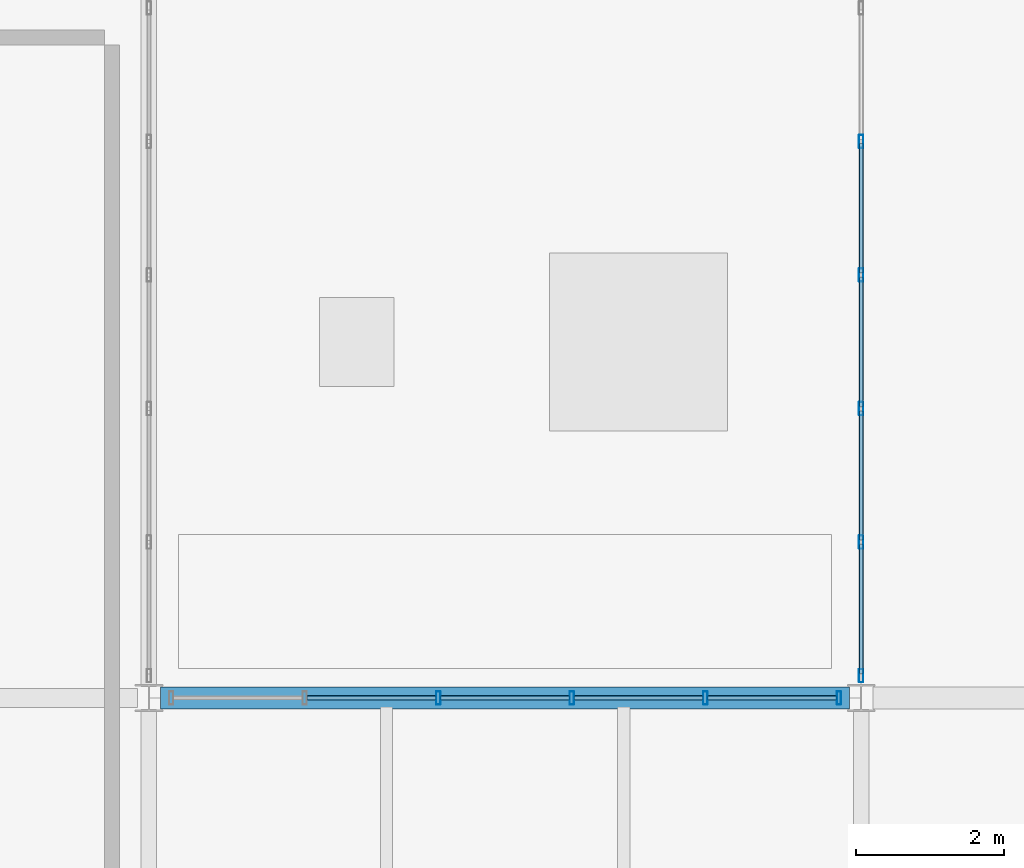
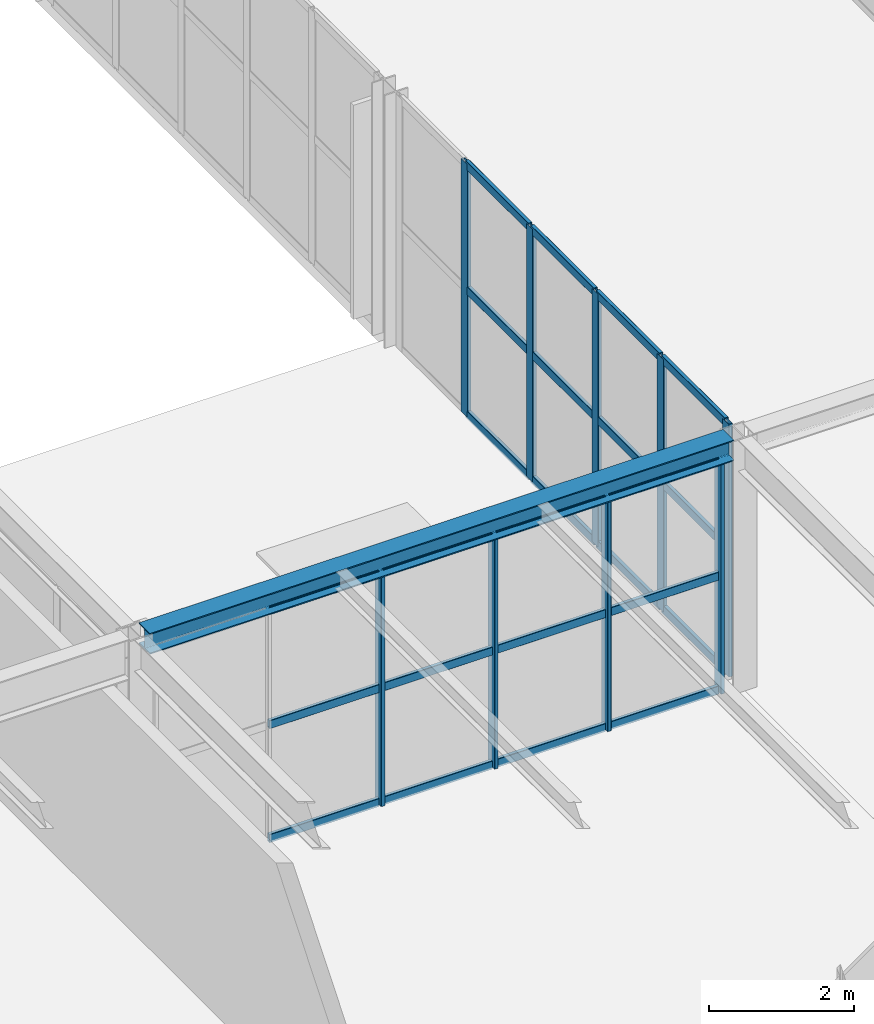
# One storey, part 55 of 170: 33 members, 1 beam, 2 elements without a shape of their own.
"""IFC4 building model written with IfcOpenShell, lengths in metres."""

from ifc_helpers import new_model, si_unit, direction, frame, origin, origin_2d, place, context, subcontext, project, spatial, hollow_rectangle, i_section, extrude, material, material_profile, profile_set, type_object, element, aggregate, save


model = new_model("IFC4")

# Units and contexts
model_context = context("Model", 3, precision=1e-05, world=origin(), true_north=direction((0.0, 1.0)))
body_context = subcontext(model_context, "Body", "Model", "MODEL_VIEW")
ifc_project = project(units=[si_unit("LENGTHUNIT", "METRE"), si_unit("AREAUNIT", "SQUARE_METRE"), si_unit("VOLUMEUNIT", "CUBIC_METRE"), si_unit("PLANEANGLEUNIT", "RADIAN"), si_unit("MASSUNIT", "GRAM", prefix="KILO")], contexts=[model_context])

# Site, building, storey
site_placement = place(None, origin())
site = spatial("IfcSite", under=ifc_project, at=site_placement, CompositionType="ELEMENT")
building_placement = place(site_placement, origin())
building = spatial("IfcBuilding", under=site, at=building_placement, Name="Coralgate Yard Interchange", CompositionType="ELEMENT")
storey_placement = place(building_placement, frame((0.0, 0.0, 6.0)))
storey = spatial("IfcBuildingStorey", under=building, at=storey_placement, Name="L01", CompositionType="ELEMENT", Elevation=6.0)

# Beam
ifc_material_1 = material(Name="Structural steel S355J2", Category="steel")
ifc_material_profile_1 = material_profile(ifc_material_1, i_section(OverallWidth=0.300048828125, OverallDepth=0.35009765625, WebThickness=0.010009765625, FlangeThickness=0.017578125, FilletRadius=0.027099609375, at=origin_2d()), Name="HEA 360")
ifc_profile_set_1 = profile_set([ifc_material_profile_1], Name="Structural steel S355J2")
beam_type = type_object("IfcBeamType", Name="BM-SP-1", PredefinedType="SPANDREL", material=ifc_profile_set_1)
beam_placement = place(storey_placement, frame((28.956298828125, 48.0, 4.074951171875), z_axis=(1.0, 0.0, 0.0), x_axis=(0.0, 1.0, 0.0)))
element("IfcBeam", 1, at=beam_placement, inside=storey, type_object=beam_type, Name="L01 primary grid beam Y5 X3-4", PredefinedType="SPANDREL", context=body_context, shape_type="SweptSolid", body=[
    extrude(i_section(OverallWidth=0.300048828125, OverallDepth=0.35009765625, WebThickness=0.010009765625, FlangeThickness=0.017578125, FilletRadius=0.027099609375, at=origin_2d()), origin(), (0.0, 0.0, 1.0), 9.287353515625),
])

# Curtain wall, members
ifc_material_2 = material(Name="Anodised coastal aluminium and solar-control low-E glass", Category="aluminium")
curtain_wall_type = type_object("IfcCurtainWallType", Name="CW-CW-L01-A", PredefinedType="NOTDEFINED", material=ifc_material_2)
curtain_wall_1_placement = place(storey_placement, origin())
curtain_wall_1 = element("IfcCurtainWall", 2, at=curtain_wall_1_placement, inside=storey, type_object=curtain_wall_type, Name="L01 unitised curtain wall CW-L01-N-03-04", PredefinedType="NOTDEFINED")
ifc_material_3 = material(Name="Anodised coastal aluminium 6063-T6", Category="aluminium")
ifc_material_profile_2 = material_profile(ifc_material_3, hollow_rectangle(XDim=0.06005859375, YDim=0.179931640625, WallThickness=0.00390625, InnerFilletRadius=0.00390625, OuterFilletRadius=0.008056640625, at=origin_2d()), Name="ALU 60x180x4")
ifc_profile_set_2 = profile_set([ifc_material_profile_2], Name="Anodised coastal aluminium 6063-T6")
member_type_1 = type_object("IfcMemberType", Name="MB-MUL-180", PredefinedType="MULLION", material=ifc_profile_set_2)
member_1_placement = place(storey_placement, frame((32.699951171875, 48.0, 0.0), z_axis=(0.0, 0.0, 1.0), x_axis=(1.0, 0.0, 0.0)))
member_1 = element("IfcMember", 3, at=member_1_placement, type_object=member_type_1, Name="CW-L01-N-03-04 vertical mullion 3", PredefinedType="MULLION", context=body_context, shape_type="SweptSolid", body=[
    extrude(hollow_rectangle(XDim=0.06005859375, YDim=0.179931640625, WallThickness=0.00390625, InnerFilletRadius=0.00390625, OuterFilletRadius=0.008056640625, at=origin_2d()), origin(), (0.0, 0.0, 1.0), 3.89990234375),
])
member_2_placement = place(storey_placement, frame((34.5, 48.0, 0.0), z_axis=(0.0, 0.0, 1.0), x_axis=(1.0, 0.0, 0.0)))
member_2 = element("IfcMember", 4, at=member_2_placement, type_object=member_type_1, Name="CW-L01-N-03-04 vertical mullion 4", PredefinedType="MULLION", context=body_context, shape_type="SweptSolid", body=[
    extrude(hollow_rectangle(XDim=0.06005859375, YDim=0.179931640625, WallThickness=0.00390625, InnerFilletRadius=0.00390625, OuterFilletRadius=0.008056640625, at=origin_2d()), origin(), (0.0, 0.0, 1.0), 3.89990234375),
])
member_3_placement = place(storey_placement, frame((36.300048828125, 48.0, 0.0), z_axis=(0.0, 0.0, 1.0), x_axis=(1.0, 0.0, 0.0)))
member_3 = element("IfcMember", 5, at=member_3_placement, type_object=member_type_1, Name="CW-L01-N-03-04 vertical mullion 5", PredefinedType="MULLION", context=body_context, shape_type="SweptSolid", body=[
    extrude(hollow_rectangle(XDim=0.06005859375, YDim=0.179931640625, WallThickness=0.00390625, InnerFilletRadius=0.00390625, OuterFilletRadius=0.008056640625, at=origin_2d()), origin(), (0.0, 0.0, 1.0), 3.89990234375),
])
member_4_placement = place(storey_placement, frame((38.10009765625, 48.0, 0.0), z_axis=(0.0, 0.0, 1.0), x_axis=(1.0, 0.0, 0.0)))
member_4 = element("IfcMember", 6, at=member_4_placement, type_object=member_type_1, Name="CW-L01-N-03-04 vertical mullion 6", PredefinedType="MULLION", context=body_context, shape_type="SweptSolid", body=[
    extrude(hollow_rectangle(XDim=0.06005859375, YDim=0.179931640625, WallThickness=0.00390625, InnerFilletRadius=0.00390625, OuterFilletRadius=0.008056640625, at=origin_2d()), origin(), (0.0, 0.0, 1.0), 3.89990234375),
])

curtain_wall_2_placement = place(storey_placement, origin())
curtain_wall_2 = element("IfcCurtainWall", 7, at=curtain_wall_2_placement, inside=storey, type_object=curtain_wall_type, Name="L01 unitised curtain wall CW-L01-W-04-05", PredefinedType="NOTDEFINED")
member_5_placement = place(storey_placement, frame((38.39990234375, 48.300048828125, 0.0), z_axis=(0.0, 0.0, 1.0), x_axis=(1.0, 0.0, 0.0)))
member_5 = element("IfcMember", 8, at=member_5_placement, type_object=member_type_1, Name="CW-L01-W-04-05 vertical mullion 1", PredefinedType="MULLION", context=body_context, shape_type="SweptSolid", body=[
    extrude(hollow_rectangle(XDim=0.06005859375, YDim=0.179931640625, WallThickness=0.00390625, InnerFilletRadius=0.00390625, OuterFilletRadius=0.008056640625, at=origin_2d()), origin(), (0.0, 0.0, 1.0), 4.25),
])
member_6_placement = place(storey_placement, frame((38.39990234375, 50.10009765625, 0.0), z_axis=(0.0, 0.0, 1.0), x_axis=(1.0, 0.0, 0.0)))
member_6 = element("IfcMember", 9, at=member_6_placement, type_object=member_type_1, Name="CW-L01-W-04-05 vertical mullion 2", PredefinedType="MULLION", context=body_context, shape_type="SweptSolid", body=[
    extrude(hollow_rectangle(XDim=0.06005859375, YDim=0.179931640625, WallThickness=0.00390625, InnerFilletRadius=0.00390625, OuterFilletRadius=0.008056640625, at=origin_2d()), origin(), (0.0, 0.0, 1.0), 4.25),
])
member_7_placement = place(storey_placement, frame((38.39990234375, 51.89990234375, 0.0), z_axis=(0.0, 0.0, 1.0), x_axis=(1.0, 0.0, 0.0)))
member_7 = element("IfcMember", 10, at=member_7_placement, type_object=member_type_1, Name="CW-L01-W-04-05 vertical mullion 3", PredefinedType="MULLION", context=body_context, shape_type="SweptSolid", body=[
    extrude(hollow_rectangle(XDim=0.06005859375, YDim=0.179931640625, WallThickness=0.00390625, InnerFilletRadius=0.00390625, OuterFilletRadius=0.008056640625, at=origin_2d()), origin(), (0.0, 0.0, 1.0), 4.25),
])
member_8_placement = place(storey_placement, frame((38.39990234375, 53.699951171875, 0.0), z_axis=(0.0, 0.0, 1.0), x_axis=(1.0, 0.0, 0.0)))
member_8 = element("IfcMember", 11, at=member_8_placement, type_object=member_type_1, Name="CW-L01-W-04-05 vertical mullion 4", PredefinedType="MULLION", context=body_context, shape_type="SweptSolid", body=[
    extrude(hollow_rectangle(XDim=0.06005859375, YDim=0.179931640625, WallThickness=0.00390625, InnerFilletRadius=0.00390625, OuterFilletRadius=0.008056640625, at=origin_2d()), origin(), (0.0, 0.0, 1.0), 4.25),
])
member_9_placement = place(storey_placement, frame((38.39990234375, 55.5, 0.0), z_axis=(0.0, 0.0, 1.0), x_axis=(1.0, 0.0, 0.0)))
member_9 = element("IfcMember", 12, at=member_9_placement, type_object=member_type_1, Name="CW-L01-W-04-05 vertical mullion 5", PredefinedType="MULLION", context=body_context, shape_type="SweptSolid", body=[
    extrude(hollow_rectangle(XDim=0.06005859375, YDim=0.179931640625, WallThickness=0.00390625, InnerFilletRadius=0.00390625, OuterFilletRadius=0.008056640625, at=origin_2d()), origin(), (0.0, 0.0, 1.0), 4.25),
])

# Member
ifc_material_profile_3 = material_profile(ifc_material_3, hollow_rectangle(XDim=0.06005859375, YDim=0.139892578125, WallThickness=0.00341796875, InnerFilletRadius=0.00341796875, OuterFilletRadius=0.007080078125, at=origin_2d()), Name="ALU 60x140x3.5")
ifc_profile_set_3 = profile_set([ifc_material_profile_3], Name="Anodised coastal aluminium 6063-T6")
member_type_2 = type_object("IfcMemberType", Name="MB-TRN-140", PredefinedType="USERDEFINED", material=ifc_profile_set_3)
member_10_placement = place(storey_placement, frame((30.929931640625, 48.0, 0.034912109375), z_axis=(1.0, 0.0, 0.0), x_axis=(0.0, 1.0, 0.0)))
member_10 = element("IfcMember", 13, at=member_10_placement, type_object=member_type_2, Name="CW-L01-N-03-04 horizontal transom 2-1", ObjectType="TRANSOM", PredefinedType="USERDEFINED", context=body_context, shape_type="SweptSolid", body=[
    extrude(hollow_rectangle(XDim=0.06005859375, YDim=0.139892578125, WallThickness=0.00341796875, InnerFilletRadius=0.00341796875, OuterFilletRadius=0.007080078125, at=origin_2d()), origin(), (0.0, 0.0, 1.0), 1.739990234375),
])

member_11_placement = place(storey_placement, frame((30.929931640625, 48.0, 1.949951171875), z_axis=(1.0, 0.0, 0.0), x_axis=(0.0, 1.0, 0.0)))
member_11 = element("IfcMember", 14, at=member_11_placement, type_object=member_type_2, Name="CW-L01-N-03-04 horizontal transom 2-2", ObjectType="TRANSOM", PredefinedType="USERDEFINED", context=body_context, shape_type="SweptSolid", body=[
    extrude(hollow_rectangle(XDim=0.06005859375, YDim=0.139892578125, WallThickness=0.00341796875, InnerFilletRadius=0.00341796875, OuterFilletRadius=0.007080078125, at=origin_2d()), origin(), (0.0, 0.0, 1.0), 1.739990234375),
])

member_12_placement = place(storey_placement, frame((30.929931640625, 48.0, 3.864990234375), z_axis=(1.0, 0.0, 0.0), x_axis=(0.0, 1.0, 0.0)))
member_12 = element("IfcMember", 15, at=member_12_placement, type_object=member_type_2, Name="CW-L01-N-03-04 horizontal transom 2-3", ObjectType="TRANSOM", PredefinedType="USERDEFINED", context=body_context, shape_type="SweptSolid", body=[
    extrude(hollow_rectangle(XDim=0.06005859375, YDim=0.139892578125, WallThickness=0.00341796875, InnerFilletRadius=0.00341796875, OuterFilletRadius=0.007080078125, at=origin_2d()), origin(), (0.0, 0.0, 1.0), 1.739990234375),
])

member_13_placement = place(storey_placement, frame((32.72998046875, 48.0, 0.034912109375), z_axis=(1.0, 0.0, 0.0), x_axis=(0.0, 1.0, 0.0)))
member_13 = element("IfcMember", 16, at=member_13_placement, type_object=member_type_2, Name="CW-L01-N-03-04 horizontal transom 3-1", ObjectType="TRANSOM", PredefinedType="USERDEFINED", context=body_context, shape_type="SweptSolid", body=[
    extrude(hollow_rectangle(XDim=0.06005859375, YDim=0.139892578125, WallThickness=0.00341796875, InnerFilletRadius=0.00341796875, OuterFilletRadius=0.007080078125, at=origin_2d()), origin(), (0.0, 0.0, 1.0), 1.739990234375),
])

member_14_placement = place(storey_placement, frame((32.72998046875, 48.0, 1.949951171875), z_axis=(1.0, 0.0, 0.0), x_axis=(0.0, 1.0, 0.0)))
member_14 = element("IfcMember", 17, at=member_14_placement, type_object=member_type_2, Name="CW-L01-N-03-04 horizontal transom 3-2", ObjectType="TRANSOM", PredefinedType="USERDEFINED", context=body_context, shape_type="SweptSolid", body=[
    extrude(hollow_rectangle(XDim=0.06005859375, YDim=0.139892578125, WallThickness=0.00341796875, InnerFilletRadius=0.00341796875, OuterFilletRadius=0.007080078125, at=origin_2d()), origin(), (0.0, 0.0, 1.0), 1.739990234375),
])

member_15_placement = place(storey_placement, frame((32.72998046875, 48.0, 3.864990234375), z_axis=(1.0, 0.0, 0.0), x_axis=(0.0, 1.0, 0.0)))
member_15 = element("IfcMember", 18, at=member_15_placement, type_object=member_type_2, Name="CW-L01-N-03-04 horizontal transom 3-3", ObjectType="TRANSOM", PredefinedType="USERDEFINED", context=body_context, shape_type="SweptSolid", body=[
    extrude(hollow_rectangle(XDim=0.06005859375, YDim=0.139892578125, WallThickness=0.00341796875, InnerFilletRadius=0.00341796875, OuterFilletRadius=0.007080078125, at=origin_2d()), origin(), (0.0, 0.0, 1.0), 1.739990234375),
])

member_16_placement = place(storey_placement, frame((34.530029296875, 48.0, 0.034912109375), z_axis=(1.0, 0.0, 0.0), x_axis=(0.0, 1.0, 0.0)))
member_16 = element("IfcMember", 19, at=member_16_placement, type_object=member_type_2, Name="CW-L01-N-03-04 horizontal transom 4-1", ObjectType="TRANSOM", PredefinedType="USERDEFINED", context=body_context, shape_type="SweptSolid", body=[
    extrude(hollow_rectangle(XDim=0.06005859375, YDim=0.139892578125, WallThickness=0.00341796875, InnerFilletRadius=0.00341796875, OuterFilletRadius=0.007080078125, at=origin_2d()), origin(), (0.0, 0.0, 1.0), 1.739990234375),
])

member_17_placement = place(storey_placement, frame((34.530029296875, 48.0, 1.949951171875), z_axis=(1.0, 0.0, 0.0), x_axis=(0.0, 1.0, 0.0)))
member_17 = element("IfcMember", 20, at=member_17_placement, type_object=member_type_2, Name="CW-L01-N-03-04 horizontal transom 4-2", ObjectType="TRANSOM", PredefinedType="USERDEFINED", context=body_context, shape_type="SweptSolid", body=[
    extrude(hollow_rectangle(XDim=0.06005859375, YDim=0.139892578125, WallThickness=0.00341796875, InnerFilletRadius=0.00341796875, OuterFilletRadius=0.007080078125, at=origin_2d()), origin(), (0.0, 0.0, 1.0), 1.739990234375),
])

member_18_placement = place(storey_placement, frame((34.530029296875, 48.0, 3.864990234375), z_axis=(1.0, 0.0, 0.0), x_axis=(0.0, 1.0, 0.0)))
member_18 = element("IfcMember", 21, at=member_18_placement, type_object=member_type_2, Name="CW-L01-N-03-04 horizontal transom 4-3", ObjectType="TRANSOM", PredefinedType="USERDEFINED", context=body_context, shape_type="SweptSolid", body=[
    extrude(hollow_rectangle(XDim=0.06005859375, YDim=0.139892578125, WallThickness=0.00341796875, InnerFilletRadius=0.00341796875, OuterFilletRadius=0.007080078125, at=origin_2d()), origin(), (0.0, 0.0, 1.0), 1.739990234375),
])

member_19_placement = place(storey_placement, frame((36.330078125, 48.0, 0.034912109375), z_axis=(1.0, 0.0, 0.0), x_axis=(0.0, 1.0, 0.0)))
member_19 = element("IfcMember", 22, at=member_19_placement, type_object=member_type_2, Name="CW-L01-N-03-04 horizontal transom 5-1", ObjectType="TRANSOM", PredefinedType="USERDEFINED", context=body_context, shape_type="SweptSolid", body=[
    extrude(hollow_rectangle(XDim=0.06005859375, YDim=0.139892578125, WallThickness=0.00341796875, InnerFilletRadius=0.00341796875, OuterFilletRadius=0.007080078125, at=origin_2d()), origin(), (0.0, 0.0, 1.0), 1.739990234375),
])

member_20_placement = place(storey_placement, frame((36.330078125, 48.0, 1.949951171875), z_axis=(1.0, 0.0, 0.0), x_axis=(0.0, 1.0, 0.0)))
member_20 = element("IfcMember", 23, at=member_20_placement, type_object=member_type_2, Name="CW-L01-N-03-04 horizontal transom 5-2", ObjectType="TRANSOM", PredefinedType="USERDEFINED", context=body_context, shape_type="SweptSolid", body=[
    extrude(hollow_rectangle(XDim=0.06005859375, YDim=0.139892578125, WallThickness=0.00341796875, InnerFilletRadius=0.00341796875, OuterFilletRadius=0.007080078125, at=origin_2d()), origin(), (0.0, 0.0, 1.0), 1.739990234375),
])

member_21_placement = place(storey_placement, frame((36.330078125, 48.0, 3.864990234375), z_axis=(1.0, 0.0, 0.0), x_axis=(0.0, 1.0, 0.0)))
member_21 = element("IfcMember", 24, at=member_21_placement, type_object=member_type_2, Name="CW-L01-N-03-04 horizontal transom 5-3", ObjectType="TRANSOM", PredefinedType="USERDEFINED", context=body_context, shape_type="SweptSolid", body=[
    extrude(hollow_rectangle(XDim=0.06005859375, YDim=0.139892578125, WallThickness=0.00341796875, InnerFilletRadius=0.00341796875, OuterFilletRadius=0.007080078125, at=origin_2d()), origin(), (0.0, 0.0, 1.0), 1.739990234375),
])

aggregate(curtain_wall_1, [member_1, member_2, member_3, member_4, member_10, member_11, member_12, member_13, member_14, member_15, member_16, member_17, member_18, member_19, member_20, member_21])

member_22_placement = place(storey_placement, frame((38.39990234375, 48.330078125, 0.034912109375), z_axis=(0.0, 1.0, 0.0), x_axis=(-1.0, 0.0, 0.0)))
member_22 = element("IfcMember", 25, at=member_22_placement, type_object=member_type_2, Name="CW-L01-W-04-05 horizontal transom 1-1", ObjectType="TRANSOM", PredefinedType="USERDEFINED", context=body_context, shape_type="SweptSolid", body=[
    extrude(hollow_rectangle(XDim=0.06005859375, YDim=0.139892578125, WallThickness=0.00341796875, InnerFilletRadius=0.00341796875, OuterFilletRadius=0.007080078125, at=origin_2d()), origin(), (0.0, 0.0, 1.0), 1.739990234375),
])

member_23_placement = place(storey_placement, frame((38.39990234375, 48.330078125, 2.125), z_axis=(0.0, 1.0, 0.0), x_axis=(-1.0, 0.0, 0.0)))
member_23 = element("IfcMember", 26, at=member_23_placement, type_object=member_type_2, Name="CW-L01-W-04-05 horizontal transom 1-2", ObjectType="TRANSOM", PredefinedType="USERDEFINED", context=body_context, shape_type="SweptSolid", body=[
    extrude(hollow_rectangle(XDim=0.06005859375, YDim=0.139892578125, WallThickness=0.00341796875, InnerFilletRadius=0.00341796875, OuterFilletRadius=0.007080078125, at=origin_2d()), origin(), (0.0, 0.0, 1.0), 1.739990234375),
])

member_24_placement = place(storey_placement, frame((38.39990234375, 48.330078125, 4.215087890625), z_axis=(0.0, 1.0, 0.0), x_axis=(-1.0, 0.0, 0.0)))
member_24 = element("IfcMember", 27, at=member_24_placement, type_object=member_type_2, Name="CW-L01-W-04-05 horizontal transom 1-3", ObjectType="TRANSOM", PredefinedType="USERDEFINED", context=body_context, shape_type="SweptSolid", body=[
    extrude(hollow_rectangle(XDim=0.06005859375, YDim=0.139892578125, WallThickness=0.00341796875, InnerFilletRadius=0.00341796875, OuterFilletRadius=0.007080078125, at=origin_2d()), origin(), (0.0, 0.0, 1.0), 1.739990234375),
])

member_25_placement = place(storey_placement, frame((38.39990234375, 50.1298828125, 0.034912109375), z_axis=(0.0, 1.0, 0.0), x_axis=(-1.0, 0.0, 0.0)))
member_25 = element("IfcMember", 28, at=member_25_placement, type_object=member_type_2, Name="CW-L01-W-04-05 horizontal transom 2-1", ObjectType="TRANSOM", PredefinedType="USERDEFINED", context=body_context, shape_type="SweptSolid", body=[
    extrude(hollow_rectangle(XDim=0.06005859375, YDim=0.139892578125, WallThickness=0.00341796875, InnerFilletRadius=0.00341796875, OuterFilletRadius=0.007080078125, at=origin_2d()), origin(), (0.0, 0.0, 1.0), 1.740234375),
])

member_26_placement = place(storey_placement, frame((38.39990234375, 50.1298828125, 2.125), z_axis=(0.0, 1.0, 0.0), x_axis=(-1.0, 0.0, 0.0)))
member_26 = element("IfcMember", 29, at=member_26_placement, type_object=member_type_2, Name="CW-L01-W-04-05 horizontal transom 2-2", ObjectType="TRANSOM", PredefinedType="USERDEFINED", context=body_context, shape_type="SweptSolid", body=[
    extrude(hollow_rectangle(XDim=0.06005859375, YDim=0.139892578125, WallThickness=0.00341796875, InnerFilletRadius=0.00341796875, OuterFilletRadius=0.007080078125, at=origin_2d()), origin(), (0.0, 0.0, 1.0), 1.740234375),
])

member_27_placement = place(storey_placement, frame((38.39990234375, 50.1298828125, 4.215087890625), z_axis=(0.0, 1.0, 0.0), x_axis=(-1.0, 0.0, 0.0)))
member_27 = element("IfcMember", 30, at=member_27_placement, type_object=member_type_2, Name="CW-L01-W-04-05 horizontal transom 2-3", ObjectType="TRANSOM", PredefinedType="USERDEFINED", context=body_context, shape_type="SweptSolid", body=[
    extrude(hollow_rectangle(XDim=0.06005859375, YDim=0.139892578125, WallThickness=0.00341796875, InnerFilletRadius=0.00341796875, OuterFilletRadius=0.007080078125, at=origin_2d()), origin(), (0.0, 0.0, 1.0), 1.740234375),
])

member_28_placement = place(storey_placement, frame((38.39990234375, 51.929931640625, 0.034912109375), z_axis=(0.0, 1.0, 0.0), x_axis=(-1.0, 0.0, 0.0)))
member_28 = element("IfcMember", 31, at=member_28_placement, type_object=member_type_2, Name="CW-L01-W-04-05 horizontal transom 3-1", ObjectType="TRANSOM", PredefinedType="USERDEFINED", context=body_context, shape_type="SweptSolid", body=[
    extrude(hollow_rectangle(XDim=0.06005859375, YDim=0.139892578125, WallThickness=0.00341796875, InnerFilletRadius=0.00341796875, OuterFilletRadius=0.007080078125, at=origin_2d()), origin(), (0.0, 0.0, 1.0), 1.739990234375),
])

member_29_placement = place(storey_placement, frame((38.39990234375, 51.929931640625, 2.125), z_axis=(0.0, 1.0, 0.0), x_axis=(-1.0, 0.0, 0.0)))
member_29 = element("IfcMember", 32, at=member_29_placement, type_object=member_type_2, Name="CW-L01-W-04-05 horizontal transom 3-2", ObjectType="TRANSOM", PredefinedType="USERDEFINED", context=body_context, shape_type="SweptSolid", body=[
    extrude(hollow_rectangle(XDim=0.06005859375, YDim=0.139892578125, WallThickness=0.00341796875, InnerFilletRadius=0.00341796875, OuterFilletRadius=0.007080078125, at=origin_2d()), origin(), (0.0, 0.0, 1.0), 1.739990234375),
])

member_30_placement = place(storey_placement, frame((38.39990234375, 51.929931640625, 4.215087890625), z_axis=(0.0, 1.0, 0.0), x_axis=(-1.0, 0.0, 0.0)))
member_30 = element("IfcMember", 33, at=member_30_placement, type_object=member_type_2, Name="CW-L01-W-04-05 horizontal transom 3-3", ObjectType="TRANSOM", PredefinedType="USERDEFINED", context=body_context, shape_type="SweptSolid", body=[
    extrude(hollow_rectangle(XDim=0.06005859375, YDim=0.139892578125, WallThickness=0.00341796875, InnerFilletRadius=0.00341796875, OuterFilletRadius=0.007080078125, at=origin_2d()), origin(), (0.0, 0.0, 1.0), 1.739990234375),
])

member_31_placement = place(storey_placement, frame((38.39990234375, 53.72998046875, 0.034912109375), z_axis=(0.0, 1.0, 0.0), x_axis=(-1.0, 0.0, 0.0)))
member_31 = element("IfcMember", 34, at=member_31_placement, type_object=member_type_2, Name="CW-L01-W-04-05 horizontal transom 4-1", ObjectType="TRANSOM", PredefinedType="USERDEFINED", context=body_context, shape_type="SweptSolid", body=[
    extrude(hollow_rectangle(XDim=0.06005859375, YDim=0.139892578125, WallThickness=0.00341796875, InnerFilletRadius=0.00341796875, OuterFilletRadius=0.007080078125, at=origin_2d()), origin(), (0.0, 0.0, 1.0), 1.739990234375),
])

member_32_placement = place(storey_placement, frame((38.39990234375, 53.72998046875, 2.125), z_axis=(0.0, 1.0, 0.0), x_axis=(-1.0, 0.0, 0.0)))
member_32 = element("IfcMember", 35, at=member_32_placement, type_object=member_type_2, Name="CW-L01-W-04-05 horizontal transom 4-2", ObjectType="TRANSOM", PredefinedType="USERDEFINED", context=body_context, shape_type="SweptSolid", body=[
    extrude(hollow_rectangle(XDim=0.06005859375, YDim=0.139892578125, WallThickness=0.00341796875, InnerFilletRadius=0.00341796875, OuterFilletRadius=0.007080078125, at=origin_2d()), origin(), (0.0, 0.0, 1.0), 1.739990234375),
])

member_33_placement = place(storey_placement, frame((38.39990234375, 53.72998046875, 4.215087890625), z_axis=(0.0, 1.0, 0.0), x_axis=(-1.0, 0.0, 0.0)))
member_33 = element("IfcMember", 36, at=member_33_placement, type_object=member_type_2, Name="CW-L01-W-04-05 horizontal transom 4-3", ObjectType="TRANSOM", PredefinedType="USERDEFINED", context=body_context, shape_type="SweptSolid", body=[
    extrude(hollow_rectangle(XDim=0.06005859375, YDim=0.139892578125, WallThickness=0.00341796875, InnerFilletRadius=0.00341796875, OuterFilletRadius=0.007080078125, at=origin_2d()), origin(), (0.0, 0.0, 1.0), 1.739990234375),
])

aggregate(curtain_wall_2, [member_5, member_6, member_7, member_8, member_9, member_22, member_23, member_24, member_25, member_26, member_27, member_28, member_29, member_30, member_31, member_32, member_33])

save(model, "model.ifc")
